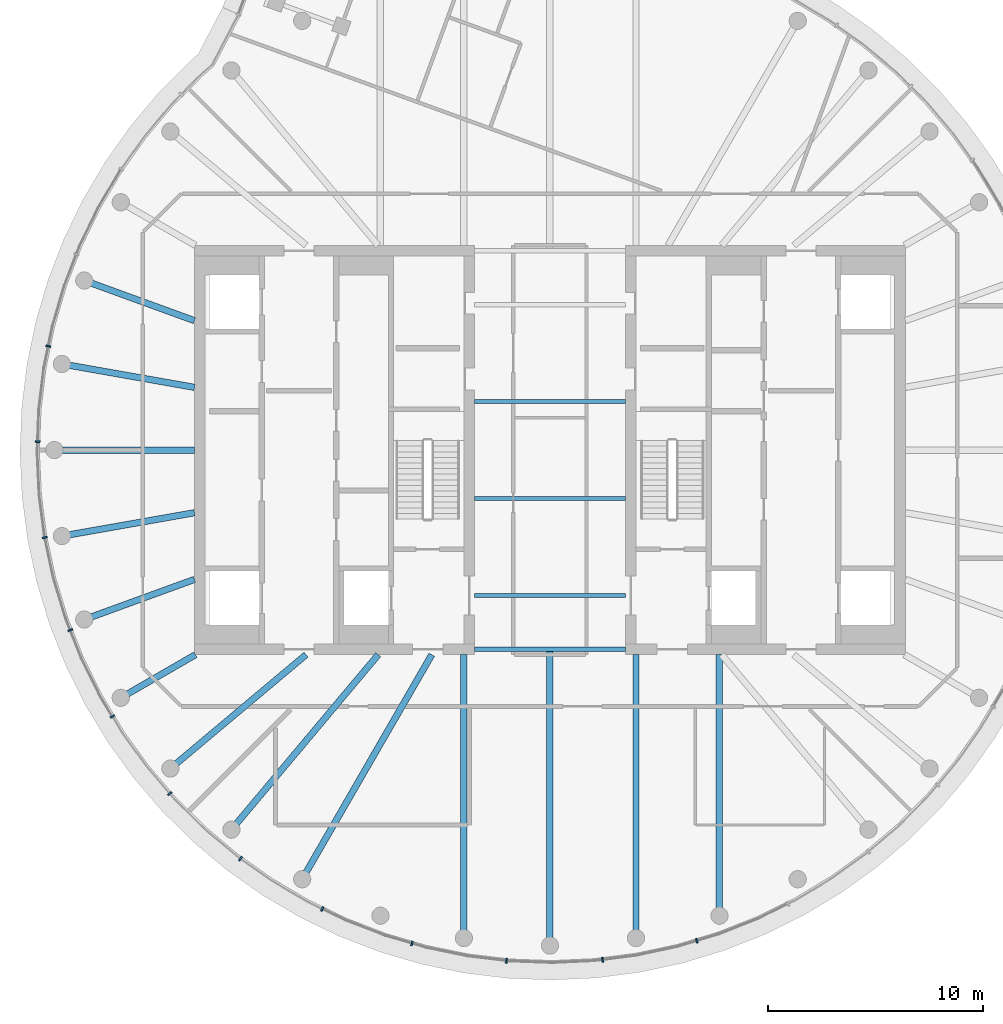
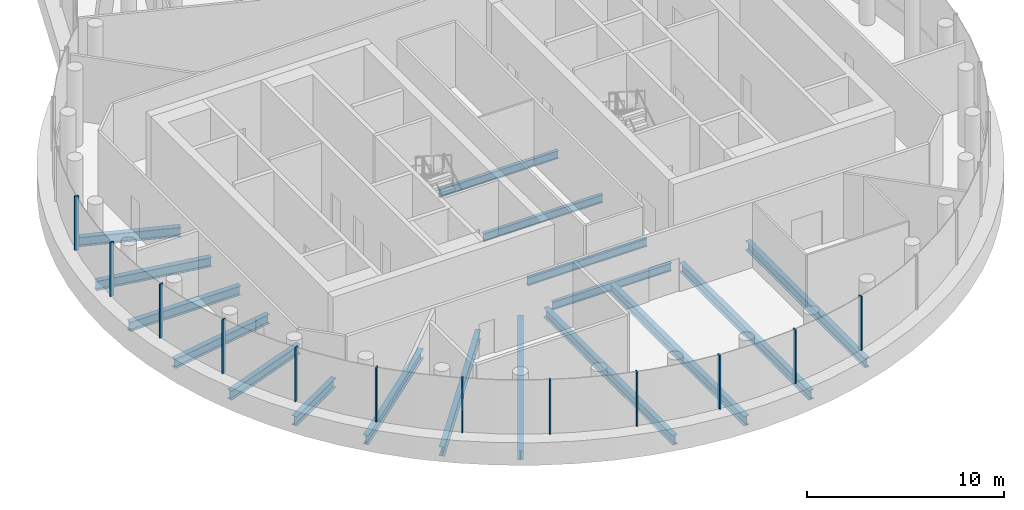
# One storey, part 2 of 12: 17 beams, 12 members, 1 element without a shape of its own.
"""IFC4 building model written with IfcOpenShell, lengths in metres."""

from ifc_helpers import new_model, si_unit, direction, frame, origin, origin_2d, place, context, subcontext, project, spatial, rectangle, i_section, extrude, material, layer, layer_set, material_profile, profile_set, type_object, element, aggregate, save


model = new_model("IFC4")

# Units and contexts
model_context = context("Model", 3, precision=1e-05, world=origin(), true_north=direction((0.0, 1.0)))
body_context = subcontext(model_context, "Body", "Model", "MODEL_VIEW")
ifc_project = project(units=[si_unit("LENGTHUNIT", "METRE"), si_unit("AREAUNIT", "SQUARE_METRE"), si_unit("VOLUMEUNIT", "CUBIC_METRE"), si_unit("PLANEANGLEUNIT", "RADIAN"), si_unit("MASSUNIT", "GRAM", prefix="KILO")], contexts=[model_context])

# Site, building, storey
site_placement = place(None, origin())
site = spatial("IfcSite", under=ifc_project, at=site_placement, CompositionType="ELEMENT")
building_placement = place(site_placement, origin())
building = spatial("IfcBuilding", under=site, at=building_placement, Name="Tamarind Cross Interchange Tower", CompositionType="ELEMENT")
storey_placement = place(building_placement, frame((0.0, 0.0, 294.39990234375)))
storey = spatial("IfcBuildingStorey", under=building, at=storey_placement, Name="L73", CompositionType="ELEMENT", Elevation=294.39990234375)

# Beams
ifc_material_1 = material(Name="Steel Q355B", Category="steel")
ifc_material_profile_1 = material_profile(ifc_material_1, i_section(OverallWidth=0.300048828125, OverallDepth=0.58203125, WebThickness=0.011962890625, FlangeThickness=0.01708984375, FilletRadius=0.01806640625, at=origin_2d()), Name="HM 582x300x12x17")
ifc_profile_set_1 = profile_set([ifc_material_profile_1], Name="Steel Q355B")
beam_type_1 = type_object("IfcBeamType", Name="Composite beam HM 582x300x12x17 Q355B", PredefinedType="BEAM", material=ifc_profile_set_1)
beam_1_placement = place(storey_placement, frame((-21.613037109375, 7.866455078125, -0.490966796875), z_axis=(0.939701685589, -0.341995236956, 0.0), x_axis=(0.341995236956, 0.939701685589, 0.0)))
element("IfcBeam", 1, at=beam_1_placement, inside=storey, type_object=beam_type_1, Name="Beam HH16", PredefinedType="BEAM", context=body_context, shape_type="SweptSolid", body=[
    extrude(i_section(OverallWidth=0.300048828125, OverallDepth=0.58203125, WebThickness=0.011962890625, FlangeThickness=0.01708984375, FilletRadius=0.01806640625, at=origin_2d()), origin(), (0.0, 0.0, 1.0), 5.441162109375),
])
beam_2_placement = place(storey_placement, frame((-22.650634765625, 3.993896484375, -0.490966796875), z_axis=(0.984809127561, -0.173640382036, 0.0), x_axis=(0.173640382036, 0.984809127561, 0.0)))
element("IfcBeam", 2, at=beam_2_placement, inside=storey, type_object=beam_type_1, Name="Beam HH17", PredefinedType="BEAM", context=body_context, shape_type="SweptSolid", body=[
    extrude(i_section(OverallWidth=0.300048828125, OverallDepth=0.58203125, WebThickness=0.011962890625, FlangeThickness=0.01708984375, FilletRadius=0.01806640625, at=origin_2d()), origin(), (0.0, 0.0, 1.0), 6.24560546875),
])
beam_3_placement = place(storey_placement, frame((-23.0, 0.0, -0.490966796875), z_axis=(1.0, 0.0, 0.0), x_axis=(0.0, 1.0, 0.0)))
element("IfcBeam", 3, at=beam_3_placement, inside=storey, type_object=beam_type_1, Name="Beam HH18", PredefinedType="BEAM", context=body_context, shape_type="SweptSolid", body=[
    extrude(i_section(OverallWidth=0.300048828125, OverallDepth=0.58203125, WebThickness=0.011962890625, FlangeThickness=0.01708984375, FilletRadius=0.01806640625, at=origin_2d()), origin(), (0.0, 0.0, 1.0), 6.5),
])
beam_4_placement = place(storey_placement, frame((-22.650634765625, -3.993896484375, -0.490966796875), z_axis=(0.984809127561, 0.173640382036, 0.0), x_axis=(-0.173640382036, 0.984809127561, 0.0)))
element("IfcBeam", 4, at=beam_4_placement, inside=storey, type_object=beam_type_1, Name="Beam HH19", PredefinedType="BEAM", context=body_context, shape_type="SweptSolid", body=[
    extrude(i_section(OverallWidth=0.300048828125, OverallDepth=0.58203125, WebThickness=0.011962890625, FlangeThickness=0.01708984375, FilletRadius=0.01806640625, at=origin_2d()), origin(), (0.0, 0.0, 1.0), 6.24560546875),
])
beam_5_placement = place(storey_placement, frame((-21.613037109375, -7.866455078125, -0.490966796875), z_axis=(0.939701685589, 0.341995236956, 0.0), x_axis=(-0.341995236956, 0.939701685589, 0.0)))
element("IfcBeam", 5, at=beam_5_placement, inside=storey, type_object=beam_type_1, Name="Beam HH20", PredefinedType="BEAM", context=body_context, shape_type="SweptSolid", body=[
    extrude(i_section(OverallWidth=0.300048828125, OverallDepth=0.58203125, WebThickness=0.011962890625, FlangeThickness=0.01708984375, FilletRadius=0.01806640625, at=origin_2d()), origin(), (0.0, 0.0, 1.0), 5.441162109375),
])
beam_6_placement = place(storey_placement, frame((-19.918701171875, -11.5, -0.490966796875), z_axis=(0.866026010844, 0.49999894854, 0.0), x_axis=(-0.49999894854, 0.866026010844, 0.0)))
element("IfcBeam", 6, at=beam_6_placement, inside=storey, type_object=beam_type_1, Name="Beam HH21", PredefinedType="BEAM", context=body_context, shape_type="SweptSolid", body=[
    extrude(i_section(OverallWidth=0.300048828125, OverallDepth=0.58203125, WebThickness=0.011962890625, FlangeThickness=0.01708984375, FilletRadius=0.01806640625, at=origin_2d()), origin(), (0.0, 0.0, 1.0), 4.0),
])
beam_7_placement = place(storey_placement, frame((-17.619140625, -14.7841796875, -0.490966796875), z_axis=(0.766040580814, 0.642792212574, 0.0), x_axis=(-0.642792212574, 0.766040580814, 0.0)))
element("IfcBeam", 7, at=beam_7_placement, inside=storey, type_object=beam_type_1, Name="Beam HH22", PredefinedType="BEAM", context=body_context, shape_type="SweptSolid", body=[
    extrude(i_section(OverallWidth=0.300048828125, OverallDepth=0.58203125, WebThickness=0.011962890625, FlangeThickness=0.01708984375, FilletRadius=0.01806640625, at=origin_2d()), origin(), (0.0, 0.0, 1.0), 8.220703125),
])
beam_8_placement = place(storey_placement, frame((-14.7841796875, -17.619140625, -0.490966796875), z_axis=(0.642786293979, 0.766045547127, 0.0), x_axis=(-0.766045547127, 0.642786293979, 0.0)))
element("IfcBeam", 8, at=beam_8_placement, inside=storey, type_object=beam_type_1, Name="Beam HH23", PredefinedType="BEAM", context=body_context, shape_type="SweptSolid", body=[
    extrude(i_section(OverallWidth=0.300048828125, OverallDepth=0.58203125, WebThickness=0.011962890625, FlangeThickness=0.01708984375, FilletRadius=0.01806640625, at=origin_2d()), origin(), (0.0, 0.0, 1.0), 10.598876953125),
])
beam_9_placement = place(storey_placement, frame((-11.5, -19.918701171875, -0.490966796875), z_axis=(0.499993565836, 0.866029118519, 0.0), x_axis=(-0.866029118519, 0.499993565836, 0.0)))
element("IfcBeam", 9, at=beam_9_placement, inside=storey, type_object=beam_type_1, Name="Beam HH24", PredefinedType="BEAM", context=body_context, shape_type="SweptSolid", body=[
    extrude(i_section(OverallWidth=0.300048828125, OverallDepth=0.58203125, WebThickness=0.011962890625, FlangeThickness=0.01708984375, FilletRadius=0.01806640625, at=origin_2d()), origin(), (0.0, 0.0, 1.0), 12.030517578125),
])
beam_10_placement = place(storey_placement, frame((-3.993896484375, -22.650634765625, -0.490966796875), z_axis=(0.0, 1.0, 0.0), x_axis=(-1.0, 0.0, 0.0)))
element("IfcBeam", 10, at=beam_10_placement, inside=storey, type_object=beam_type_1, Name="Beam HH26", PredefinedType="BEAM", context=body_context, shape_type="SweptSolid", body=[
    extrude(i_section(OverallWidth=0.300048828125, OverallDepth=0.58203125, WebThickness=0.011962890625, FlangeThickness=0.01708984375, FilletRadius=0.01806640625, at=origin_2d()), origin(), (0.0, 0.0, 1.0), 13.150634765625),
])
beam_11_placement = place(storey_placement, frame((0.0, -23.0, -0.490966796875), z_axis=(0.0, 1.0, 0.0), x_axis=(-1.0, 0.0, 0.0)))
element("IfcBeam", 11, at=beam_11_placement, inside=storey, type_object=beam_type_1, Name="Beam HH27", PredefinedType="BEAM", context=body_context, shape_type="SweptSolid", body=[
    extrude(i_section(OverallWidth=0.300048828125, OverallDepth=0.58203125, WebThickness=0.011962890625, FlangeThickness=0.01708984375, FilletRadius=0.01806640625, at=origin_2d()), origin(), (0.0, 0.0, 1.0), 13.75),
])
beam_12_placement = place(storey_placement, frame((3.993896484375, -22.650634765625, -0.490966796875), z_axis=(0.0, 1.0, 0.0), x_axis=(-1.0, 0.0, 0.0)))
element("IfcBeam", 12, at=beam_12_placement, inside=storey, type_object=beam_type_1, Name="Beam HH28", PredefinedType="BEAM", context=body_context, shape_type="SweptSolid", body=[
    extrude(i_section(OverallWidth=0.300048828125, OverallDepth=0.58203125, WebThickness=0.011962890625, FlangeThickness=0.01708984375, FilletRadius=0.01806640625, at=origin_2d()), origin(), (0.0, 0.0, 1.0), 13.150634765625),
])
beam_13_placement = place(storey_placement, frame((7.866455078125, -21.613037109375, -0.490966796875), z_axis=(0.0, 1.0, 0.0), x_axis=(-1.0, 0.0, 0.0)))
element("IfcBeam", 13, at=beam_13_placement, inside=storey, type_object=beam_type_1, Name="Beam HH29", PredefinedType="BEAM", context=body_context, shape_type="SweptSolid", body=[
    extrude(i_section(OverallWidth=0.300048828125, OverallDepth=0.58203125, WebThickness=0.011962890625, FlangeThickness=0.01708984375, FilletRadius=0.01806640625, at=origin_2d()), origin(), (0.0, 0.0, 1.0), 12.113037109375),
])
ifc_material_profile_2 = material_profile(ifc_material_1, i_section(OverallWidth=0.198974609375, OverallDepth=0.49609375, WebThickness=0.009033203125, FlangeThickness=0.013916015625, FilletRadius=0.012939453125, at=origin_2d()), Name="HN 496x199x9x14")
ifc_profile_set_2 = profile_set([ifc_material_profile_2], Name="Steel Q355B")
beam_type_2 = type_object("IfcBeamType", Name="Composite beam HN 496x199x9x14 Q355B", PredefinedType="BEAM", material=ifc_profile_set_2)
for number, where, z_axis, x_axis, name in (
    (14, (-3.5, -2.25, -0.447998046875), (1.0, 0.0, 0.0), (0.0, 1.0, 0.0), "Beam G-2.25"),
    (15, (-3.5, -6.75, -0.447998046875), (1.0, 0.0, 0.0), (0.0, 1.0, 0.0), "Beam G-6.75"),
    (16, (-3.5, -9.25, -0.447998046875), (1.0, 0.0, 0.0), (0.0, 1.0, 0.0), "Beam G-9.25"),
    (17, (-3.5, 2.25, -0.447998046875), (1.0, 0.0, 0.0), (0.0, 1.0, 0.0), "Beam G2.25"),
):
    element("IfcBeam", number, at=place(storey_placement, frame(where, z_axis=z_axis, x_axis=x_axis)), inside=storey, type_object=beam_type_2, Name=name, PredefinedType="BEAM", context=body_context, shape_type="SweptSolid", body=[
        extrude(i_section(OverallWidth=0.198974609375, OverallDepth=0.49609375, WebThickness=0.009033203125, FlangeThickness=0.013916015625, FilletRadius=0.012939453125, at=origin_2d()), origin(), (0.0, 0.0, 1.0), 7.0),
    ])

# Curtain wall, members
ifc_material_2 = material(Name="Aluminium 6063-T6", Category="aluminium")
ifc_layer = layer(ifc_material_2, 0.219970703125)
ifc_layer_set = layer_set([ifc_layer], Name="Aluminium 6063-T6")
curtain_wall_type = type_object("IfcCurtainWallType", Name="Observation deck curtain wall", PredefinedType="NOTDEFINED", material=ifc_layer_set)
curtain_wall_placement = place(storey_placement, origin())
curtain_wall = element("IfcCurtainWall", 18, at=curtain_wall_placement, inside=storey, type_object=curtain_wall_type, Name="CWS-L73-02", PredefinedType="NOTDEFINED")
ifc_material_profile_3 = material_profile(ifc_material_2, rectangle(XDim=0.080078125, YDim=0.219970703125, at=origin_2d()), Name="Mullion CW5")
ifc_profile_set_3 = profile_set([ifc_material_profile_3], Name="Aluminium 6063-T6")
member_type = type_object("IfcMemberType", Name="Mullion CW5", PredefinedType="MULLION", material=ifc_profile_set_3)
member_1_placement = place(storey_placement, frame((-23.281982421875, 4.819091796875, 1.400146484375), z_axis=(0.0, 0.0, 1.0), x_axis=(-0.201001463943, -0.9795909409, 0.0)))
member_1 = element("IfcMember", 19, at=member_1_placement, type_object=member_type, Name="CWM-L73-02-04", PredefinedType="MULLION", context=body_context, shape_type="SweptSolid", body=[
    extrude(rectangle(XDim=0.080078125, YDim=0.219970703125, at=origin_2d()), origin(), (0.0, 0.0, 1.0), 3.349853515625),
])
member_2_placement = place(storey_placement, frame((-23.77734375, 0.38818359375, 1.400146484375), z_axis=(0.0, 0.0, 1.0), x_axis=(-0.037024696392, -0.999314350871, 0.0)))
member_2 = element("IfcMember", 20, at=member_2_placement, type_object=member_type, Name="CWM-L73-02-05", PredefinedType="MULLION", context=body_context, shape_type="SweptSolid", body=[
    extrude(rectangle(XDim=0.080078125, YDim=0.219970703125, at=origin_2d()), origin(), (0.0, 0.0, 1.0), 3.349853515625),
])
member_3_placement = place(storey_placement, frame((-23.4453125, -4.05908203125, 1.400146484375), z_axis=(0.0, 0.0, 1.0), x_axis=(0.209425419705, -0.977824623121, 0.0)))
member_3 = element("IfcMember", 21, at=member_3_placement, type_object=member_type, Name="CWM-L73-02-06", PredefinedType="MULLION", context=body_context, shape_type="SweptSolid", body=[
    extrude(rectangle(XDim=0.080078125, YDim=0.219970703125, at=origin_2d()), origin(), (0.0, 0.0, 1.0), 3.349853515625),
])
member_4_placement = place(storey_placement, frame((-22.26123046875, -8.359130859375, 1.400146484375), z_axis=(0.0, 0.0, 1.0), x_axis=(0.367513773146, -0.930018078613, 0.0)))
member_4 = element("IfcMember", 22, at=member_4_placement, type_object=member_type, Name="CWM-L73-02-07", PredefinedType="MULLION", context=body_context, shape_type="SweptSolid", body=[
    extrude(rectangle(XDim=0.080078125, YDim=0.219970703125, at=origin_2d()), origin(), (0.0, 0.0, 1.0), 3.349853515625),
])
member_5_placement = place(storey_placement, frame((-20.306640625, -12.366455078125, 1.400146484375), z_axis=(0.0, 0.0, 1.0), x_axis=(0.515577308909, -0.856843065292, 0.0)))
member_5 = element("IfcMember", 23, at=member_5_placement, type_object=member_type, Name="CWM-L73-02-08", PredefinedType="MULLION", context=body_context, shape_type="SweptSolid", body=[
    extrude(rectangle(XDim=0.080078125, YDim=0.219970703125, at=origin_2d()), origin(), (0.0, 0.0, 1.0), 3.349853515625),
])
member_6_placement = place(storey_placement, frame((-17.6474609375, -15.94580078125, 1.400146484375), z_axis=(0.0, 0.0, 1.0), x_axis=(0.64957723968, -0.760295606781, 0.0)))
member_6 = element("IfcMember", 24, at=member_6_placement, type_object=member_type, Name="CWM-L73-02-09", PredefinedType="MULLION", context=body_context, shape_type="SweptSolid", body=[
    extrude(rectangle(XDim=0.080078125, YDim=0.219970703125, at=origin_2d()), origin(), (0.0, 0.0, 1.0), 3.349853515625),
])
member_7_placement = place(storey_placement, frame((-14.36328125, -18.962158203125, 1.400146484375), z_axis=(0.0, 0.0, 1.0), x_axis=(0.816341886298, -0.577568978284, 0.0)))
member_7 = element("IfcMember", 25, at=member_7_placement, type_object=member_type, Name="CWM-L73-02-10", PredefinedType="MULLION", context=body_context, shape_type="SweptSolid", body=[
    extrude(rectangle(XDim=0.080078125, YDim=0.219970703125, at=origin_2d()), origin(), (0.0, 0.0, 1.0), 3.349853515625),
])
member_8_placement = place(storey_placement, frame((-10.56591796875, -21.300048828125, 1.400146484375), z_axis=(0.0, 0.0, 1.0), x_axis=(0.900272776334, -0.435326231914, 0.0)))
member_8 = element("IfcMember", 26, at=member_8_placement, type_object=member_type, Name="CWM-L73-02-11", PredefinedType="MULLION", context=body_context, shape_type="SweptSolid", body=[
    extrude(rectangle(XDim=0.080078125, YDim=0.219970703125, at=origin_2d()), origin(), (0.0, 0.0, 1.0), 3.349853515625),
])
member_9_placement = place(storey_placement, frame((-6.40380859375, -22.898681640625, 1.400146484375), z_axis=(0.0, 0.0, 1.0), x_axis=(0.95964657186, -0.281208920763, 0.0)))
member_9 = element("IfcMember", 27, at=member_9_placement, type_object=member_type, Name="CWM-L73-02-12", PredefinedType="MULLION", context=body_context, shape_type="SweptSolid", body=[
    extrude(rectangle(XDim=0.080078125, YDim=0.219970703125, at=origin_2d()), origin(), (0.0, 0.0, 1.0), 3.349853515625),
])
member_10_placement = place(storey_placement, frame((-2.017578125, -23.7041015625, 1.400146484375), z_axis=(0.0, 0.0, 1.0), x_axis=(0.992843710523, -0.119420963295, 0.0)))
member_10 = element("IfcMember", 28, at=member_10_placement, type_object=member_type, Name="CWM-L73-02-13", PredefinedType="MULLION", context=body_context, shape_type="SweptSolid", body=[
    extrude(rectangle(XDim=0.080078125, YDim=0.219970703125, at=origin_2d()), origin(), (0.0, 0.0, 1.0), 3.349853515625),
])
member_11_placement = place(storey_placement, frame((2.44140625, -23.657470703125, 1.400146484375), z_axis=(0.0, 0.0, 1.0), x_axis=(0.991779070368, 0.127962008342, 0.0)))
member_11 = element("IfcMember", 29, at=member_11_placement, type_object=member_type, Name="CWM-L73-02-14", PredefinedType="MULLION", context=body_context, shape_type="SweptSolid", body=[
    extrude(rectangle(XDim=0.080078125, YDim=0.219970703125, at=origin_2d()), origin(), (0.0, 0.0, 1.0), 3.349853515625),
])
member_12_placement = place(storey_placement, frame((6.81298828125, -22.778564453125, 1.400146484375), z_axis=(0.0, 0.0, 1.0), x_axis=(0.957190642199, 0.289458243079, 0.0)))
member_12 = element("IfcMember", 30, at=member_12_placement, type_object=member_type, Name="CWM-L73-02-15", PredefinedType="MULLION", context=body_context, shape_type="SweptSolid", body=[
    extrude(rectangle(XDim=0.080078125, YDim=0.219970703125, at=origin_2d()), origin(), (0.0, 0.0, 1.0), 3.349853515625),
])
aggregate(curtain_wall, [member_1, member_2, member_3, member_4, member_5, member_6, member_7, member_8, member_9, member_10, member_11, member_12])

save(model, "model.ifc")
